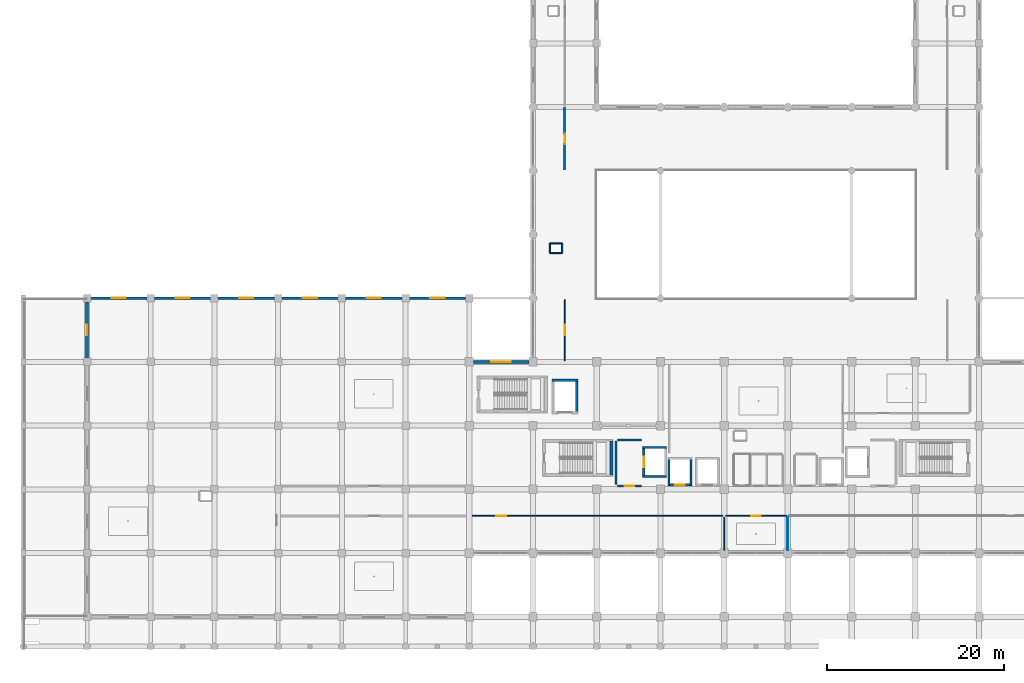
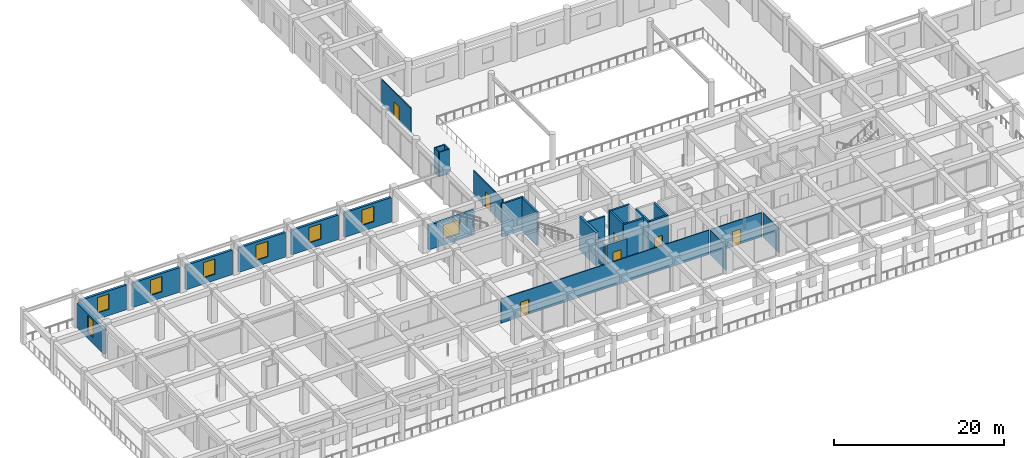
# One storey, part 30 of 54: 30 walls, 8 windows, 7 doors, 15 openings.
"""IFC4 building model written with IfcOpenShell, lengths in metres."""

from ifc_helpers import new_model, si_unit, direction, frame, frame_2d, origin, place, context, subcontext, project, spatial, rectangle, extrude, material, layer, layer_set, type_object, element, fill, save


model = new_model("IFC4")

# Units and contexts
model_context = context("Model", 3, precision=1e-05, world=origin(), true_north=direction((0.0, 1.0)))
body_context = subcontext(model_context, "Body", "Model", "MODEL_VIEW")
ifc_project = project(units=[si_unit("LENGTHUNIT", "METRE"), si_unit("AREAUNIT", "SQUARE_METRE"), si_unit("VOLUMEUNIT", "CUBIC_METRE"), si_unit("PLANEANGLEUNIT", "RADIAN"), si_unit("MASSUNIT", "GRAM", prefix="KILO")], contexts=[model_context])

# Site, building, storey
site_placement = place(None, origin())
site = spatial("IfcSite", under=ifc_project, at=site_placement, CompositionType="ELEMENT")
building_placement = place(site_placement, origin())
building = spatial("IfcBuilding", under=site, at=building_placement, Name="Kazehaya Institute of Natural Sciences", CompositionType="ELEMENT")
storey_placement = place(building_placement, frame((0.0, 0.0, 5.39990234375)))
storey = spatial("IfcBuildingStorey", under=building, at=storey_placement, Name="L01", CompositionType="ELEMENT", Elevation=5.39990234375)

# Wall
ifc_material_1 = material(Name="Concrete Fc42", Category="concrete")
ifc_layer_1 = layer(ifc_material_1, 0.35009765625, Name="Concrete Fc42", Category="concrete")
ifc_layer_set_1 = layer_set([ifc_layer_1], Name="Concrete Fc42")
wall_type_1 = type_object("IfcWallType", Name="WL-CORE-350", PredefinedType="SHEAR", material=ifc_layer_set_1)
wall_1_placement = place(storey_placement, frame((70.679931640625, 26.659912109375, 0.0), z_axis=(0.0, 0.0, 1.0), x_axis=(0.0, -1.0, 0.0)))
element("IfcWall", 1, at=wall_1_placement, inside=storey, type_object=wall_type_1, Name="L01 ST-1 core wall E", PredefinedType="SHEAR", context=body_context, shape_type="SweptSolid", body=[
    extrude(rectangle(XDim=3.83984375, YDim=0.35009765625, at=frame_2d((1.919921875, 0.0))), origin(), (0.0, 0.0, 1.0), 4.77001953125),
])

# Wall, opening, window
ifc_material_2 = material(Name="Precast concrete Fc36", Category="concrete")
ifc_layer_2 = layer(ifc_material_2, 0.31005859375, Name="Precast concrete Fc36", Category="concrete")
ifc_layer_set_2 = layer_set([ifc_layer_2], Name="Precast concrete Fc36")
wall_type_2 = type_object("IfcWallType", Name="WL-EXT-310", PredefinedType="SOLIDWALL", material=ifc_layer_set_2)
wall_2_placement = place(storey_placement, frame((55.06005859375, 35.60009765625, 0.0), z_axis=(0.0, 0.0, 1.0), x_axis=(1.0, 0.0, 0.0)))
wall_2 = element("IfcWall", 2, at=wall_2_placement, inside=storey, type_object=wall_type_2, Name="L01 exterior wall EW-L01-0159", PredefinedType="SOLIDWALL", context=body_context, shape_type="SweptSolid", body=[
    extrude(rectangle(XDim=6.280029296875, YDim=0.31005859375, at=frame_2d((3.14013671875, 0.0))), origin(), (0.0, 0.0, 1.0), 3.5400390625),
])
opening_1_placement = place(wall_2_placement, frame((2.0400390625, 0.0, 0.89990234375)))
opening_1 = element("IfcOpeningElement", 3, at=opening_1_placement, cuts=wall_2, Name="Opening W20", PredefinedType="OPENING", context=body_context, shape_type="SweptSolid", body=[
    extrude(rectangle(XDim=2.199951171875, YDim=2.0, at=frame_2d((1.10009765625, 1.0))), frame((0.0, 0.1650390625, 0.0), z_axis=(0.0, -1.0, 0.0), x_axis=(1.0, 0.0, 0.0)), (0.0, 0.0, 1.0), 0.330078125),
])
ifc_material_3 = material(Name="Low-E double-glazed aluminium window", Category="aluminium")
window_type_1 = type_object("IfcWindowType", Name="WN-20", PartitioningType="DOUBLE_PANEL_VERTICAL", PredefinedType="WINDOW", material=ifc_material_3)
window_1_placement = place(opening_1_placement, origin())
window_1 = element("IfcWindow", 4, at=window_1_placement, inside=storey, type_object=window_type_1, Name="L01 facade window 0061", OverallHeight=2.0, OverallWidth=2.199951171875, PartitioningType="DOUBLE_PANEL_VERTICAL", PredefinedType="WINDOW", context=body_context, shape_type="SweptSolid", body=[
    extrude(rectangle(XDim=2.199951171875, YDim=2.0, at=frame_2d((1.10009765625, 1.0))), frame((0.0, 0.030029296875, 0.0), z_axis=(0.0, -1.0, 0.0), x_axis=(1.0, 0.0, 0.0)), (0.0, 0.0, 1.0), 0.06005859375),
])
fill(opening_1, window_1)

ifc_layer_3 = layer(ifc_material_2, 0.320068359375, Name="Precast concrete Fc36", Category="concrete")
ifc_layer_set_3 = layer_set([ifc_layer_3], Name="Precast concrete Fc36")
wall_type_3 = type_object("IfcWallType", Name="WL-EXT-320", PredefinedType="SOLIDWALL", material=ifc_layer_set_3)
wall_3_placement = place(storey_placement, frame((11.81005859375, 42.800048828125, 0.0), z_axis=(0.0, 0.0, 1.0), x_axis=(1.0, 0.0, 0.0)))
wall_3 = element("IfcWall", 5, at=wall_3_placement, inside=storey, type_object=wall_type_3, Name="L01 exterior wall EW-L01-0362", PredefinedType="SOLIDWALL", context=body_context, shape_type="SweptSolid", body=[
    extrude(rectangle(XDim=6.3798828125, YDim=0.320068359375, at=frame_2d((3.18994140625, 0.0))), origin(), (0.0, 0.0, 1.0), 3.5400390625),
])
opening_2_placement = place(wall_3_placement, frame((2.389892578125, 0.0, 0.89990234375)))
opening_2 = element("IfcOpeningElement", 6, at=opening_2_placement, cuts=wall_3, Name="Opening W18", PredefinedType="OPENING", context=body_context, shape_type="SweptSolid", body=[
    extrude(rectangle(XDim=1.60009765625, YDim=2.199951171875, at=frame_2d((0.800048828125, 1.10009765625))), frame((0.0, 0.169921875, 0.0), z_axis=(0.0, -1.0, 0.0), x_axis=(1.0, 0.0, 0.0)), (0.0, 0.0, 1.0), 0.340087890625),
])
window_type_2 = type_object("IfcWindowType", Name="WN-18", PartitioningType="SINGLE_PANEL", PredefinedType="WINDOW", material=ifc_material_3)
window_2_placement = place(opening_2_placement, origin())
window_2 = element("IfcWindow", 7, at=window_2_placement, inside=storey, type_object=window_type_2, Name="L01 facade window 0222", OverallHeight=2.199951171875, OverallWidth=1.60009765625, PartitioningType="SINGLE_PANEL", PredefinedType="WINDOW", context=body_context, shape_type="SweptSolid", body=[
    extrude(rectangle(XDim=1.60009765625, YDim=2.199951171875, at=frame_2d((0.800048828125, 1.10009765625))), frame((0.0, 0.030029296875, 0.0), z_axis=(0.0, -1.0, 0.0), x_axis=(1.0, 0.0, 0.0)), (0.0, 0.0, 1.0), 0.06005859375),
])
fill(opening_2, window_2)

wall_4_placement = place(storey_placement, frame((19.010009765625, 42.800048828125, 0.0), z_axis=(0.0, 0.0, 1.0), x_axis=(1.0, 0.0, 0.0)))
wall_4 = element("IfcWall", 8, at=wall_4_placement, inside=storey, type_object=wall_type_3, Name="L01 exterior wall EW-L01-0363", PredefinedType="SOLIDWALL", context=body_context, shape_type="SweptSolid", body=[
    extrude(rectangle(XDim=6.3798828125, YDim=0.320068359375, at=frame_2d((3.18994140625, 0.0))), origin(), (0.0, 0.0, 1.0), 3.5400390625),
])
opening_3_placement = place(wall_4_placement, frame((2.389892578125, 0.0, 0.89990234375)))
opening_3 = element("IfcOpeningElement", 9, at=opening_3_placement, cuts=wall_4, Name="Opening W18", PredefinedType="OPENING", context=body_context, shape_type="SweptSolid", body=[
    extrude(rectangle(XDim=1.60009765625, YDim=2.199951171875, at=frame_2d((0.800048828125, 1.10009765625))), frame((0.0, 0.169921875, 0.0), z_axis=(0.0, -1.0, 0.0), x_axis=(1.0, 0.0, 0.0)), (0.0, 0.0, 1.0), 0.340087890625),
])
window_3_placement = place(opening_3_placement, origin())
window_3 = element("IfcWindow", 10, at=window_3_placement, inside=storey, type_object=window_type_2, Name="L01 facade window 0223", OverallHeight=2.199951171875, OverallWidth=1.60009765625, PartitioningType="SINGLE_PANEL", PredefinedType="WINDOW", context=body_context, shape_type="SweptSolid", body=[
    extrude(rectangle(XDim=1.60009765625, YDim=2.199951171875, at=frame_2d((0.800048828125, 1.10009765625))), frame((0.0, 0.030029296875, 0.0), z_axis=(0.0, -1.0, 0.0), x_axis=(1.0, 0.0, 0.0)), (0.0, 0.0, 1.0), 0.06005859375),
])
fill(opening_3, window_3)

wall_5_placement = place(storey_placement, frame((26.2099609375, 42.800048828125, 0.0), z_axis=(0.0, 0.0, 1.0), x_axis=(1.0, 0.0, 0.0)))
wall_5 = element("IfcWall", 11, at=wall_5_placement, inside=storey, type_object=wall_type_3, Name="L01 exterior wall EW-L01-0364", PredefinedType="SOLIDWALL", context=body_context, shape_type="SweptSolid", body=[
    extrude(rectangle(XDim=6.380126953125, YDim=0.320068359375, at=frame_2d((3.18994140625, 0.0))), origin(), (0.0, 0.0, 1.0), 3.5400390625),
])
opening_4_placement = place(wall_5_placement, frame((2.389892578125, 0.0, 0.89990234375)))
opening_4 = element("IfcOpeningElement", 12, at=opening_4_placement, cuts=wall_5, Name="Opening W18", PredefinedType="OPENING", context=body_context, shape_type="SweptSolid", body=[
    extrude(rectangle(XDim=1.60009765625, YDim=2.199951171875, at=frame_2d((0.800048828125, 1.10009765625))), frame((0.0, 0.169921875, 0.0), z_axis=(0.0, -1.0, 0.0), x_axis=(1.0, 0.0, 0.0)), (0.0, 0.0, 1.0), 0.340087890625),
])
window_4_placement = place(opening_4_placement, origin())
window_4 = element("IfcWindow", 13, at=window_4_placement, inside=storey, type_object=window_type_2, Name="L01 facade window 0224", OverallHeight=2.199951171875, OverallWidth=1.60009765625, PartitioningType="SINGLE_PANEL", PredefinedType="WINDOW", context=body_context, shape_type="SweptSolid", body=[
    extrude(rectangle(XDim=1.60009765625, YDim=2.199951171875, at=frame_2d((0.800048828125, 1.10009765625))), frame((0.0, 0.030029296875, 0.0), z_axis=(0.0, -1.0, 0.0), x_axis=(1.0, 0.0, 0.0)), (0.0, 0.0, 1.0), 0.06005859375),
])
fill(opening_4, window_4)

wall_6_placement = place(storey_placement, frame((33.409912109375, 42.800048828125, 0.0), z_axis=(0.0, 0.0, 1.0), x_axis=(1.0, 0.0, 0.0)))
wall_6 = element("IfcWall", 14, at=wall_6_placement, inside=storey, type_object=wall_type_3, Name="L01 exterior wall EW-L01-0365", PredefinedType="SOLIDWALL", context=body_context, shape_type="SweptSolid", body=[
    extrude(rectangle(XDim=6.380126953125, YDim=0.320068359375, at=frame_2d((3.18994140625, 0.0))), origin(), (0.0, 0.0, 1.0), 3.5400390625),
])
opening_5_placement = place(wall_6_placement, frame((2.389892578125, 0.0, 0.89990234375)))
opening_5 = element("IfcOpeningElement", 15, at=opening_5_placement, cuts=wall_6, Name="Opening W18", PredefinedType="OPENING", context=body_context, shape_type="SweptSolid", body=[
    extrude(rectangle(XDim=1.60009765625, YDim=2.199951171875, at=frame_2d((0.800048828125, 1.10009765625))), frame((0.0, 0.169921875, 0.0), z_axis=(0.0, -1.0, 0.0), x_axis=(1.0, 0.0, 0.0)), (0.0, 0.0, 1.0), 0.340087890625),
])
window_5_placement = place(opening_5_placement, origin())
window_5 = element("IfcWindow", 16, at=window_5_placement, inside=storey, type_object=window_type_2, Name="L01 facade window 0225", OverallHeight=2.199951171875, OverallWidth=1.60009765625, PartitioningType="SINGLE_PANEL", PredefinedType="WINDOW", context=body_context, shape_type="SweptSolid", body=[
    extrude(rectangle(XDim=1.60009765625, YDim=2.199951171875, at=frame_2d((0.800048828125, 1.10009765625))), frame((0.0, 0.030029296875, 0.0), z_axis=(0.0, -1.0, 0.0), x_axis=(1.0, 0.0, 0.0)), (0.0, 0.0, 1.0), 0.06005859375),
])
fill(opening_5, window_5)

wall_7_placement = place(storey_placement, frame((40.610107421875, 42.800048828125, 0.0), z_axis=(0.0, 0.0, 1.0), x_axis=(1.0, 0.0, 0.0)))
wall_7 = element("IfcWall", 17, at=wall_7_placement, inside=storey, type_object=wall_type_3, Name="L01 exterior wall EW-L01-0366", PredefinedType="SOLIDWALL", context=body_context, shape_type="SweptSolid", body=[
    extrude(rectangle(XDim=6.3798828125, YDim=0.320068359375, at=frame_2d((3.18994140625, 0.0))), origin(), (0.0, 0.0, 1.0), 3.5400390625),
])
opening_6_placement = place(wall_7_placement, frame((2.389892578125, 0.0, 0.89990234375)))
opening_6 = element("IfcOpeningElement", 18, at=opening_6_placement, cuts=wall_7, Name="Opening W18", PredefinedType="OPENING", context=body_context, shape_type="SweptSolid", body=[
    extrude(rectangle(XDim=1.60009765625, YDim=2.199951171875, at=frame_2d((0.800048828125, 1.10009765625))), frame((0.0, 0.169921875, 0.0), z_axis=(0.0, -1.0, 0.0), x_axis=(1.0, 0.0, 0.0)), (0.0, 0.0, 1.0), 0.340087890625),
])
window_6_placement = place(opening_6_placement, origin())
window_6 = element("IfcWindow", 19, at=window_6_placement, inside=storey, type_object=window_type_2, Name="L01 facade window 0226", OverallHeight=2.199951171875, OverallWidth=1.60009765625, PartitioningType="SINGLE_PANEL", PredefinedType="WINDOW", context=body_context, shape_type="SweptSolid", body=[
    extrude(rectangle(XDim=1.60009765625, YDim=2.199951171875, at=frame_2d((0.800048828125, 1.10009765625))), frame((0.0, 0.030029296875, 0.0), z_axis=(0.0, -1.0, 0.0), x_axis=(1.0, 0.0, 0.0)), (0.0, 0.0, 1.0), 0.06005859375),
])
fill(opening_6, window_6)

wall_8_placement = place(storey_placement, frame((47.81005859375, 42.800048828125, 0.0), z_axis=(0.0, 0.0, 1.0), x_axis=(1.0, 0.0, 0.0)))
wall_8 = element("IfcWall", 20, at=wall_8_placement, inside=storey, type_object=wall_type_3, Name="L01 exterior wall EW-L01-0367", PredefinedType="SOLIDWALL", context=body_context, shape_type="SweptSolid", body=[
    extrude(rectangle(XDim=6.3798828125, YDim=0.320068359375, at=frame_2d((3.18994140625, 0.0))), origin(), (0.0, 0.0, 1.0), 3.5400390625),
])
opening_7_placement = place(wall_8_placement, frame((2.389892578125, 0.0, 0.89990234375)))
opening_7 = element("IfcOpeningElement", 21, at=opening_7_placement, cuts=wall_8, Name="Opening W18", PredefinedType="OPENING", context=body_context, shape_type="SweptSolid", body=[
    extrude(rectangle(XDim=1.60009765625, YDim=2.199951171875, at=frame_2d((0.800048828125, 1.10009765625))), frame((0.0, 0.169921875, 0.0), z_axis=(0.0, -1.0, 0.0), x_axis=(1.0, 0.0, 0.0)), (0.0, 0.0, 1.0), 0.340087890625),
])
window_7_placement = place(opening_7_placement, origin())
window_7 = element("IfcWindow", 22, at=window_7_placement, inside=storey, type_object=window_type_2, Name="L01 facade window 0227", OverallHeight=2.199951171875, OverallWidth=1.60009765625, PartitioningType="SINGLE_PANEL", PredefinedType="WINDOW", context=body_context, shape_type="SweptSolid", body=[
    extrude(rectangle(XDim=1.60009765625, YDim=2.199951171875, at=frame_2d((0.800048828125, 1.10009765625))), frame((0.0, 0.030029296875, 0.0), z_axis=(0.0, -1.0, 0.0), x_axis=(1.0, 0.0, 0.0)), (0.0, 0.0, 1.0), 0.06005859375),
])
fill(opening_7, window_7)

ifc_layer_4 = layer(ifc_material_2, 0.340087890625, Name="Precast concrete Fc36", Category="concrete")
ifc_layer_set_4 = layer_set([ifc_layer_4], Name="Precast concrete Fc36")
wall_type_4 = type_object("IfcWallType", Name="WL-EXT-340", PredefinedType="SOLIDWALL", material=ifc_layer_set_4)
wall_9_placement = place(storey_placement, frame((11.39990234375, 36.010009765625, 0.0), z_axis=(0.0, 0.0, 1.0), x_axis=(0.0, 1.0, 0.0)))
wall_9 = element("IfcWall", 23, at=wall_9_placement, inside=storey, type_object=wall_type_4, Name="L01 exterior wall EW-L01-0355", PredefinedType="SOLIDWALL", context=body_context, shape_type="SweptSolid", body=[
    extrude(rectangle(XDim=6.3798828125, YDim=0.340087890625, at=frame_2d((3.18994140625, 0.0))), origin(), (0.0, 0.0, 1.0), 3.5400390625),
])
opening_8_placement = place(wall_9_placement, frame((2.590087890625, 0.0, 0.89990234375)))
opening_8 = element("IfcOpeningElement", 24, at=opening_8_placement, cuts=wall_9, Name="Opening W05", PredefinedType="OPENING", context=body_context, shape_type="SweptSolid", body=[
    extrude(rectangle(XDim=1.199951171875, YDim=2.39990234375, at=frame_2d((0.60009765625, 1.199951171875))), frame((0.0, 0.179931640625, 0.0), z_axis=(0.0, -1.0, 0.0), x_axis=(1.0, 0.0, 0.0)), (0.0, 0.0, 1.0), 0.360107421875),
])
window_type_3 = type_object("IfcWindowType", Name="WN-05", PartitioningType="SINGLE_PANEL", PredefinedType="WINDOW", material=ifc_material_3)
window_8_placement = place(opening_8_placement, origin())
window_8 = element("IfcWindow", 25, at=window_8_placement, inside=storey, type_object=window_type_3, Name="L01 facade window 0216", OverallHeight=2.39990234375, OverallWidth=1.199951171875, PartitioningType="SINGLE_PANEL", PredefinedType="WINDOW", context=body_context, shape_type="SweptSolid", body=[
    extrude(rectangle(XDim=1.199951171875, YDim=2.39990234375, at=frame_2d((0.60009765625, 1.199951171875))), frame((0.0, 0.030029296875, 0.0), z_axis=(0.0, -1.0, 0.0), x_axis=(1.0, 0.0, 0.0)), (0.0, 0.0, 1.0), 0.06005859375),
])
fill(opening_8, window_8)

# Wall, opening, door
ifc_material_4 = material(Name="Concrete Fc36", Category="concrete")
ifc_layer_5 = layer(ifc_material_4, 0.22998046875, Name="Concrete Fc36", Category="concrete")
ifc_layer_set_5 = layer_set([ifc_layer_5], Name="Concrete Fc36")
wall_type_5 = type_object("IfcWallType", Name="WL-FFL-230", PredefinedType="PARTITIONING", material=ifc_layer_set_5)
wall_10_placement = place(storey_placement, frame((74.050048828125, 21.60009765625, 0.0), z_axis=(0.0, 0.0, 1.0), x_axis=(-1.0, 0.0, 0.0)))
wall_10 = element("IfcWall", 26, at=wall_10_placement, inside=storey, type_object=wall_type_5, Name="L01 West Firefighting Lift Lobby partition IW-L01-0080", PredefinedType="PARTITIONING", context=body_context, shape_type="SweptSolid", body=[
    extrude(rectangle(XDim=2.699951171875, YDim=0.22998046875, at=frame_2d((1.35009765625, 0.0))), origin(), (0.0, 0.0, 1.0), 3.52001953125),
])
opening_9_placement = place(wall_10_placement, frame((0.800048828125, 0.0, 0.0)))
opening_9 = element("IfcOpeningElement", 27, at=opening_9_placement, cuts=wall_10, Name="Opening D-L01-0076", PredefinedType="OPENING", context=body_context, shape_type="SweptSolid", body=[
    extrude(rectangle(XDim=1.10009765625, YDim=2.179931640625, at=frame_2d((0.550048828125, 1.08984375))), frame((0.0, 0.125, 0.0), z_axis=(0.0, -1.0, 0.0), x_axis=(1.0, 0.0, 0.0)), (0.0, 0.0, 1.0), 0.25),
])
ifc_material_5 = material(Name="Fire-rated steel acoustic door", Category="steel")
door_type_1 = type_object("IfcDoorType", Name="DT-FD-18", OperationType="NOTDEFINED", PredefinedType="DOOR", material=ifc_material_5)
door_1_placement = place(opening_9_placement, origin())
door_1 = element("IfcDoor", 28, at=door_1_placement, inside=storey, type_object=door_type_1, Name="L01 West Firefighting Lift Lobby door D-L01-0076", OperationType="SINGLE_SWING_RIGHT", OverallHeight=2.179931640625, OverallWidth=1.10009765625, PredefinedType="DOOR", context=body_context, shape_type="SweptSolid", body=[
    extrude(rectangle(XDim=1.10009765625, YDim=2.179931640625, at=frame_2d((0.550048828125, 1.08984375))), frame((0.0, 0.02490234375, 0.0), z_axis=(0.0, -1.0, 0.0), x_axis=(1.0, 0.0, 0.0)), (0.0, 0.0, 1.0), 0.050048828125),
])
fill(opening_9, door_1)

# Walls
wall_11_placement = place(storey_placement, frame((71.35009765625, 26.800048828125, 0.0), z_axis=(0.0, 0.0, 1.0), x_axis=(1.0, 0.0, 0.0)))
element("IfcWall", 29, at=wall_11_placement, inside=storey, type_object=wall_type_5, Name="L01 West Firefighting Lift Lobby partition IW-L01-0081", PredefinedType="PARTITIONING", context=body_context, shape_type="SweptSolid", body=[
    extrude(rectangle(XDim=2.699951171875, YDim=0.22998046875, at=frame_2d((1.35009765625, 0.0))), origin(), (0.0, 0.0, 1.0), 3.52001953125),
])
wall_12_placement = place(storey_placement, frame((71.199951171875, 21.75, 0.0), z_axis=(0.0, 0.0, 1.0), x_axis=(0.0, 1.0, 0.0)))
element("IfcWall", 30, at=wall_12_placement, inside=storey, type_object=wall_type_5, Name="L01 West Firefighting Lift Lobby partition IW-L01-0082", PredefinedType="PARTITIONING", context=body_context, shape_type="SweptSolid", body=[
    extrude(rectangle(XDim=4.89990234375, YDim=0.22998046875, at=frame_2d((2.449951171875, 0.0))), origin(), (0.0, 0.0, 1.0), 3.52001953125),
])

# Wall, opening, door
ifc_material_6 = material(Name="Glazed office demountable partition")
ifc_layer_6 = layer(ifc_material_6, 0.110107421875, Name="Glazed office demountable partition")
ifc_layer_set_6 = layer_set([ifc_layer_6], Name="Glazed office demountable partition")
wall_type_6 = type_object("IfcWallType", Name="WL-PART-110", PredefinedType="PARTITIONING", material=ifc_layer_set_6)
wall_13_placement = place(storey_placement, frame((83.550048828125, 18.199951171875, 0.0), z_axis=(0.0, 0.0, 1.0), x_axis=(1.0, 0.0, 0.0)))
wall_13 = element("IfcWall", 31, at=wall_13_placement, inside=storey, type_object=wall_type_6, Name="L01 Molecular Biology Laboratory partition IW-L01-0102", PredefinedType="PARTITIONING", context=body_context, shape_type="SweptSolid", body=[
    extrude(rectangle(XDim=6.89990234375, YDim=0.110107421875, at=frame_2d((3.449951171875, 0.0))), origin(), (0.0, 0.0, 1.0), 3.52001953125),
])
opening_10_placement = place(wall_13_placement, frame((2.89501953125, 0.0, 0.0)))
opening_10 = element("IfcOpeningElement", 32, at=opening_10_placement, cuts=wall_13, Name="Opening D-L01-0083", PredefinedType="OPENING", context=body_context, shape_type="SweptSolid", body=[
    extrude(rectangle(XDim=1.110107421875, YDim=2.159912109375, at=frame_2d((0.55517578125, 1.080078125))), frame((0.0, 0.06494140625, 0.0), z_axis=(0.0, -1.0, 0.0), x_axis=(1.0, 0.0, 0.0)), (0.0, 0.0, 1.0), 0.130126953125),
])
ifc_material_7 = material(Name="Flush timber and aluminium laboratory door", Category="wood")
door_type_2 = type_object("IfcDoorType", Name="DT-INT-27", OperationType="NOTDEFINED", PredefinedType="DOOR", material=ifc_material_7)
door_2_placement = place(opening_10_placement, origin())
door_2 = element("IfcDoor", 33, at=door_2_placement, inside=storey, type_object=door_type_2, Name="L01 Molecular Biology Laboratory door D-L01-0083", OperationType="SINGLE_SWING_LEFT", OverallHeight=2.159912109375, OverallWidth=1.110107421875, PredefinedType="DOOR", context=body_context, shape_type="SweptSolid", body=[
    extrude(rectangle(XDim=1.110107421875, YDim=2.159912109375, at=frame_2d((0.55517578125, 1.080078125))), frame((0.0, 0.02490234375, 0.0), z_axis=(0.0, -1.0, 0.0), x_axis=(1.0, 0.0, 0.0)), (0.0, 0.0, 1.0), 0.050048828125),
])
fill(opening_10, door_2)

# Wall
wall_14_placement = place(storey_placement, frame((90.60009765625, 18.050048828125, 0.0), z_axis=(0.0, 0.0, 1.0), x_axis=(0.0, -1.0, 0.0)))
element("IfcWall", 34, at=wall_14_placement, inside=storey, type_object=wall_type_6, Name="L01 Molecular Biology Laboratory partition IW-L01-0103", PredefinedType="PARTITIONING", context=body_context, shape_type="SweptSolid", body=[
    extrude(rectangle(XDim=3.75, YDim=0.110107421875, at=frame_2d((1.875, 0.0))), origin(), (0.0, 0.0, 1.0), 3.52001953125),
])

# Wall, opening, door
wall_15_placement = place(storey_placement, frame((65.39990234375, 57.35009765625, 0.0), z_axis=(0.0, 0.0, 1.0), x_axis=(0.0, 1.0, 0.0)))
wall_15 = element("IfcWall", 35, at=wall_15_placement, inside=storey, type_object=wall_type_6, Name="L01 Atrium North Study Gallery partition IW-L01-0119", PredefinedType="PARTITIONING", context=body_context, shape_type="SweptSolid", body=[
    extrude(rectangle(XDim=6.89990234375, YDim=0.110107421875, at=frame_2d((3.449951171875, 0.0))), origin(), (0.0, 0.0, 1.0), 3.52001953125),
])
opening_11_placement = place(wall_15_placement, frame((2.85498046875, 0.0, 0.0)))
opening_11 = element("IfcOpeningElement", 36, at=opening_11_placement, cuts=wall_15, Name="Opening D-L01-0092", PredefinedType="OPENING", context=body_context, shape_type="SweptSolid", body=[
    extrude(rectangle(XDim=1.18994140625, YDim=2.050048828125, at=frame_2d((0.594970703125, 1.02490234375))), frame((0.0, 0.06494140625, 0.0), z_axis=(0.0, -1.0, 0.0), x_axis=(1.0, 0.0, 0.0)), (0.0, 0.0, 1.0), 0.130126953125),
])
door_type_3 = type_object("IfcDoorType", Name="DT-INT-33", OperationType="NOTDEFINED", PredefinedType="DOOR", material=ifc_material_7)
door_3_placement = place(opening_11_placement, origin())
door_3 = element("IfcDoor", 37, at=door_3_placement, inside=storey, type_object=door_type_3, Name="L01 Atrium North Study Gallery door D-L01-0092", OperationType="SINGLE_SWING_RIGHT", OverallHeight=2.050048828125, OverallWidth=1.18994140625, PredefinedType="DOOR", context=body_context, shape_type="SweptSolid", body=[
    extrude(rectangle(XDim=1.18994140625, YDim=2.050048828125, at=frame_2d((0.594970703125, 1.02490234375))), frame((0.0, 0.02490234375, 0.0), z_axis=(0.0, -1.0, 0.0), x_axis=(1.0, 0.0, 0.0)), (0.0, 0.0, 1.0), 0.050048828125),
])
fill(opening_11, door_3)

ifc_material_8 = material(Name="Gypsum write-up office partition", Category="gypsum")
ifc_layer_7 = layer(ifc_material_8, 0.1201171875, Name="Gypsum write-up office partition", Category="gypsum")
ifc_layer_set_7 = layer_set([ifc_layer_7], Name="Gypsum write-up office partition")
wall_type_7 = type_object("IfcWallType", Name="WL-PART-120", PredefinedType="PARTITIONING", material=ifc_layer_set_7)
wall_16_placement = place(storey_placement, frame((54.949951171875, 18.199951171875, 0.0), z_axis=(0.0, 0.0, 1.0), x_axis=(1.0, 0.0, 0.0)))
wall_16 = element("IfcWall", 38, at=wall_16_placement, inside=storey, type_object=wall_type_7, Name="L01 Wet Chemistry Laboratory partition IW-L01-0100", PredefinedType="PARTITIONING", context=body_context, shape_type="SweptSolid", body=[
    extrude(rectangle(XDim=28.300048828125, YDim=0.1201171875, at=frame_2d((14.14990234375, 0.0))), origin(), (0.0, 0.0, 1.0), 3.52001953125),
])
opening_12_placement = place(wall_16_placement, frame((2.695068359375, 0.0, 0.0)))
opening_12 = element("IfcOpeningElement", 39, at=opening_12_placement, cuts=wall_16, Name="Opening D-L01-0082", PredefinedType="OPENING", context=body_context, shape_type="SweptSolid", body=[
    extrude(rectangle(XDim=1.110107421875, YDim=2.10009765625, at=frame_2d((0.55517578125, 1.050048828125))), frame((0.0, 0.070068359375, 0.0), z_axis=(0.0, -1.0, 0.0), x_axis=(1.0, 0.0, 0.0)), (0.0, 0.0, 1.0), 0.14013671875),
])
door_type_4 = type_object("IfcDoorType", Name="DT-INT-26", OperationType="NOTDEFINED", PredefinedType="DOOR", material=ifc_material_7)
door_4_placement = place(opening_12_placement, origin())
door_4 = element("IfcDoor", 40, at=door_4_placement, inside=storey, type_object=door_type_4, Name="L01 Wet Chemistry Laboratory door D-L01-0082", OperationType="SINGLE_SWING_RIGHT", OverallHeight=2.10009765625, OverallWidth=1.110107421875, PredefinedType="DOOR", context=body_context, shape_type="SweptSolid", body=[
    extrude(rectangle(XDim=1.110107421875, YDim=2.10009765625, at=frame_2d((0.55517578125, 1.050048828125))), frame((0.0, 0.02490234375, 0.0), z_axis=(0.0, -1.0, 0.0), x_axis=(1.0, 0.0, 0.0)), (0.0, 0.0, 1.0), 0.050048828125),
])
fill(opening_12, door_4)

# Wall
wall_17_placement = place(storey_placement, frame((83.39990234375, 18.050048828125, 0.0), z_axis=(0.0, 0.0, 1.0), x_axis=(0.0, -1.0, 0.0)))
element("IfcWall", 41, at=wall_17_placement, inside=storey, type_object=wall_type_7, Name="L01 Wet Chemistry Laboratory partition IW-L01-0101", PredefinedType="PARTITIONING", context=body_context, shape_type="SweptSolid", body=[
    extrude(rectangle(XDim=3.75, YDim=0.1201171875, at=frame_2d((1.875, 0.0))), origin(), (0.0, 0.0, 1.0), 3.52001953125),
])

# Wall, opening, door
wall_18_placement = place(storey_placement, frame((65.39990234375, 35.75, 0.0), z_axis=(0.0, 0.0, 1.0), x_axis=(0.0, 1.0, 0.0)))
wall_18 = element("IfcWall", 42, at=wall_18_placement, inside=storey, type_object=wall_type_7, Name="L01 Atrium Gallery Lounge partition IW-L01-0117", PredefinedType="PARTITIONING", context=body_context, shape_type="SweptSolid", body=[
    extrude(rectangle(XDim=6.89990234375, YDim=0.1201171875, at=frame_2d((3.449951171875, 0.0))), origin(), (0.0, 0.0, 1.0), 3.52001953125),
])
opening_13_placement = place(wall_18_placement, frame((2.875, 0.0, 0.0)))
opening_13 = element("IfcOpeningElement", 43, at=opening_13_placement, cuts=wall_18, Name="Opening D-L01-0091", PredefinedType="OPENING", context=body_context, shape_type="SweptSolid", body=[
    extrude(rectangle(XDim=1.14990234375, YDim=2.219970703125, at=frame_2d((0.574951171875, 1.10986328125))), frame((0.0, 0.070068359375, 0.0), z_axis=(0.0, -1.0, 0.0), x_axis=(1.0, 0.0, 0.0)), (0.0, 0.0, 1.0), 0.14013671875),
])
door_type_5 = type_object("IfcDoorType", Name="DT-INT-32", OperationType="NOTDEFINED", PredefinedType="DOOR", material=ifc_material_7)
door_5_placement = place(opening_13_placement, origin())
door_5 = element("IfcDoor", 44, at=door_5_placement, inside=storey, type_object=door_type_5, Name="L01 Atrium Gallery Lounge door D-L01-0091", OperationType="SINGLE_SWING_LEFT", OverallHeight=2.219970703125, OverallWidth=1.14990234375, PredefinedType="DOOR", context=body_context, shape_type="SweptSolid", body=[
    extrude(rectangle(XDim=1.14990234375, YDim=2.219970703125, at=frame_2d((0.574951171875, 1.10986328125))), frame((0.0, 0.02490234375, 0.0), z_axis=(0.0, -1.0, 0.0), x_axis=(1.0, 0.0, 0.0)), (0.0, 0.0, 1.0), 0.050048828125),
])
fill(opening_13, door_5)

# Walls
ifc_layer_8 = layer(ifc_material_4, 0.14990234375, Name="Concrete Fc36", Category="concrete")
ifc_layer_set_8 = layer_set([ifc_layer_8], Name="Concrete Fc36")
wall_type_8 = type_object("IfcWallType", Name="WL-RISER-150", PredefinedType="PARTITIONING", material=ifc_layer_set_8)
for number, where, z_axis, x_axis, name in (
    (45, (65.0849609375, 47.9150390625, 0.0), (0.0, 0.0, 1.0), (-1.0, 0.0, 0.0), "L01 fume exhaust riser shaft wall 20"),
    (46, (63.715087890625, 48.985107421875, 0.0), (0.0, 0.0, 1.0), (1.0, 0.0, 0.0), "L01 fume exhaust riser shaft wall 20"),
):
    element("IfcWall", number, at=place(storey_placement, frame(where, z_axis=z_axis, x_axis=x_axis)), inside=storey, type_object=wall_type_8, Name=name, PredefinedType="PARTITIONING", context=body_context, shape_type="SweptSolid", body=[
        extrude(rectangle(XDim=1.369873046875, YDim=0.14990234375, at=frame_2d((0.68505859375, 0.0))), origin(), (0.0, 0.0, 1.0), 3.52001953125),
    ])
for number, where, z_axis, x_axis, name in (
    (47, (63.715087890625, 47.9150390625, 0.0), (0.0, 0.0, 1.0), (0.0, 1.0, 0.0), "L01 fume exhaust riser shaft wall 20"),
    (48, (65.0849609375, 48.985107421875, 0.0), (0.0, 0.0, 1.0), (0.0, -1.0, 0.0), "L01 fume exhaust riser shaft wall 20"),
):
    element("IfcWall", number, at=place(storey_placement, frame(where, z_axis=z_axis, x_axis=x_axis)), inside=storey, type_object=wall_type_8, Name=name, PredefinedType="PARTITIONING", context=body_context, shape_type="SweptSolid", body=[
        extrude(rectangle(XDim=1.070068359375, YDim=0.14990234375, at=frame_2d((0.53515625, 0.0))), origin(), (0.0, 0.0, 1.0), 3.52001953125),
    ])
ifc_layer_9 = layer(ifc_material_1, 0.25, Name="Concrete Fc42", Category="concrete")
ifc_layer_set_9 = layer_set([ifc_layer_9], Name="Concrete Fc42")
wall_type_9 = type_object("IfcWallType", Name="WL-SHAFT-250", PredefinedType="SHEAR", material=ifc_layer_set_9)
for number, where, z_axis, x_axis, name in (
    (49, (76.909912109375, 22.6650390625, 0.0), (0.0, 0.0, 1.0), (-1.0, 0.0, 0.0), "L01 EL07 lift shaft wall south"),
    (50, (74.18994140625, 25.93505859375, 0.0), (0.0, 0.0, 1.0), (1.0, 0.0, 0.0), "L01 EL07 lift shaft wall north"),
):
    element("IfcWall", number, at=place(storey_placement, frame(where, z_axis=z_axis, x_axis=x_axis)), inside=storey, type_object=wall_type_9, Name=name, PredefinedType="SHEAR", context=body_context, shape_type="SweptSolid", body=[
        extrude(rectangle(XDim=2.719970703125, YDim=0.25, at=frame_2d((1.35986328125, 0.0))), origin(), (0.0, 0.0, 1.0), 4.77001953125),
    ])

# Wall, opening, door
wall_19_placement = place(storey_placement, frame((74.31494140625, 22.6650390625, 0.0), z_axis=(0.0, 0.0, 1.0), x_axis=(0.0, 1.0, 0.0)))
wall_19 = element("IfcWall", 51, at=wall_19_placement, inside=storey, type_object=wall_type_9, Name="L01 EL07 lift shaft wall west", PredefinedType="SHEAR", context=body_context, shape_type="SweptSolid", body=[
    extrude(rectangle(XDim=3.27001953125, YDim=0.25, at=frame_2d((1.635009765625, 0.0))), origin(), (0.0, 0.0, 1.0), 4.77001953125),
])
opening_14_placement = place(wall_19_placement, frame((1.034912109375, 0.0, 0.0)))
opening_14 = element("IfcOpeningElement", 52, at=opening_14_placement, cuts=wall_19, Name="Opening LD-03", PredefinedType="OPENING", context=body_context, shape_type="SweptSolid", body=[
    extrude(rectangle(XDim=1.199951171875, YDim=2.25, at=frame_2d((0.60009765625, 1.125))), frame((0.0, 0.135009765625, 0.0), z_axis=(0.0, -1.0, 0.0), x_axis=(1.0, 0.0, 0.0)), (0.0, 0.0, 1.0), 0.27001953125),
])
ifc_material_9 = material(Name="Stainless-steel emergency lift landing door", Category="steel")
door_type_6 = type_object("IfcDoorType", Name="DT-LD-1200x2250", OperationType="SLIDING_TO_LEFT", PredefinedType="DOOR", material=ifc_material_9)
door_6_placement = place(opening_14_placement, origin())
door_6 = element("IfcDoor", 53, at=door_6_placement, inside=storey, type_object=door_type_6, Name="L01 EL07 sliding landing door LD-03", OperationType="SLIDING_TO_LEFT", OverallHeight=2.25, OverallWidth=1.199951171875, PredefinedType="DOOR", context=body_context, shape_type="SweptSolid", body=[
    extrude(rectangle(XDim=1.199951171875, YDim=2.25, at=frame_2d((0.60009765625, 1.125))), frame((0.0, 0.02490234375, 0.0), z_axis=(0.0, -1.0, 0.0), x_axis=(1.0, 0.0, 0.0)), (0.0, 0.0, 1.0), 0.050048828125),
])
fill(opening_14, door_6)

wall_20_placement = place(storey_placement, frame((79.760009765625, 21.715087890625, 0.0), z_axis=(0.0, 0.0, 1.0), x_axis=(-1.0, 0.0, 0.0)))
wall_20 = element("IfcWall", 54, at=wall_20_placement, inside=storey, type_object=wall_type_9, Name="L01 EL01 lift shaft wall south", PredefinedType="SHEAR", context=body_context, shape_type="SweptSolid", body=[
    extrude(rectangle(XDim=2.719970703125, YDim=0.25, at=frame_2d((1.35986328125, 0.0))), origin(), (0.0, 0.0, 1.0), 4.77001953125),
])
opening_15_placement = place(wall_20_placement, frame((0.81005859375, 0.0, 0.0)))
opening_15 = element("IfcOpeningElement", 55, at=opening_15_placement, cuts=wall_20, Name="Opening LD-25", PredefinedType="OPENING", context=body_context, shape_type="SweptSolid", body=[
    extrude(rectangle(XDim=1.10009765625, YDim=2.199951171875, at=frame_2d((0.550048828125, 1.10009765625))), frame((0.0, 0.135009765625, 0.0), z_axis=(0.0, -1.0, 0.0), x_axis=(1.0, 0.0, 0.0)), (0.0, 0.0, 1.0), 0.27001953125),
])
ifc_material_10 = material(Name="Stainless-steel sliding landing door", Category="steel")
door_type_7 = type_object("IfcDoorType", Name="DT-LD-1100x2200", OperationType="SLIDING_TO_LEFT", PredefinedType="DOOR", material=ifc_material_10)
door_7_placement = place(opening_15_placement, origin())
door_7 = element("IfcDoor", 56, at=door_7_placement, inside=storey, type_object=door_type_7, Name="L01 EL01 sliding landing door LD-25", OperationType="SLIDING_TO_LEFT", OverallHeight=2.199951171875, OverallWidth=1.10009765625, PredefinedType="DOOR", context=body_context, shape_type="SweptSolid", body=[
    extrude(rectangle(XDim=1.10009765625, YDim=2.199951171875, at=frame_2d((0.550048828125, 1.10009765625))), frame((0.0, 0.02490234375, 0.0), z_axis=(0.0, -1.0, 0.0), x_axis=(1.0, 0.0, 0.0)), (0.0, 0.0, 1.0), 0.050048828125),
])
fill(opening_15, door_7)

# Walls
for number, where, z_axis, x_axis, name in (
    (57, (77.1650390625, 21.715087890625, 0.0), (0.0, 0.0, 1.0), (0.0, 1.0, 0.0), "L01 EL01 lift shaft wall west"),
    (58, (79.635009765625, 24.68505859375, 0.0), (0.0, 0.0, 1.0), (0.0, -1.0, 0.0), "L01 EL01 lift shaft wall east"),
):
    element("IfcWall", number, at=place(storey_placement, frame(where, z_axis=z_axis, x_axis=x_axis)), inside=storey, type_object=wall_type_9, Name=name, PredefinedType="SHEAR", context=body_context, shape_type="SweptSolid", body=[
        extrude(rectangle(XDim=2.969970703125, YDim=0.25, at=frame_2d((1.48486328125, 0.0))), origin(), (0.0, 0.0, 1.0), 4.77001953125),
    ])
wall_21_placement = place(storey_placement, frame((63.93994140625, 33.534912109375, 0.0), z_axis=(0.0, 0.0, 1.0), x_axis=(1.0, 0.0, 0.0)))
element("IfcWall", 59, at=wall_21_placement, inside=storey, type_object=wall_type_9, Name="L01 EL06 lift shaft wall north", PredefinedType="SHEAR", context=body_context, shape_type="SweptSolid", body=[
    extrude(rectangle(XDim=2.920166015625, YDim=0.25, at=frame_2d((1.4599609375, 0.0))), origin(), (0.0, 0.0, 1.0), 4.77001953125),
])
wall_22_placement = place(storey_placement, frame((66.735107421875, 33.534912109375, 0.0), z_axis=(0.0, 0.0, 1.0), x_axis=(0.0, -1.0, 0.0)))
element("IfcWall", 60, at=wall_22_placement, inside=storey, type_object=wall_type_9, Name="L01 EL06 lift shaft wall east", PredefinedType="SHEAR", context=body_context, shape_type="SweptSolid", body=[
    extrude(rectangle(XDim=3.669921875, YDim=0.25, at=frame_2d((1.8349609375, 0.0))), origin(), (0.0, 0.0, 1.0), 4.77001953125),
])

save(model, "model.ifc")
